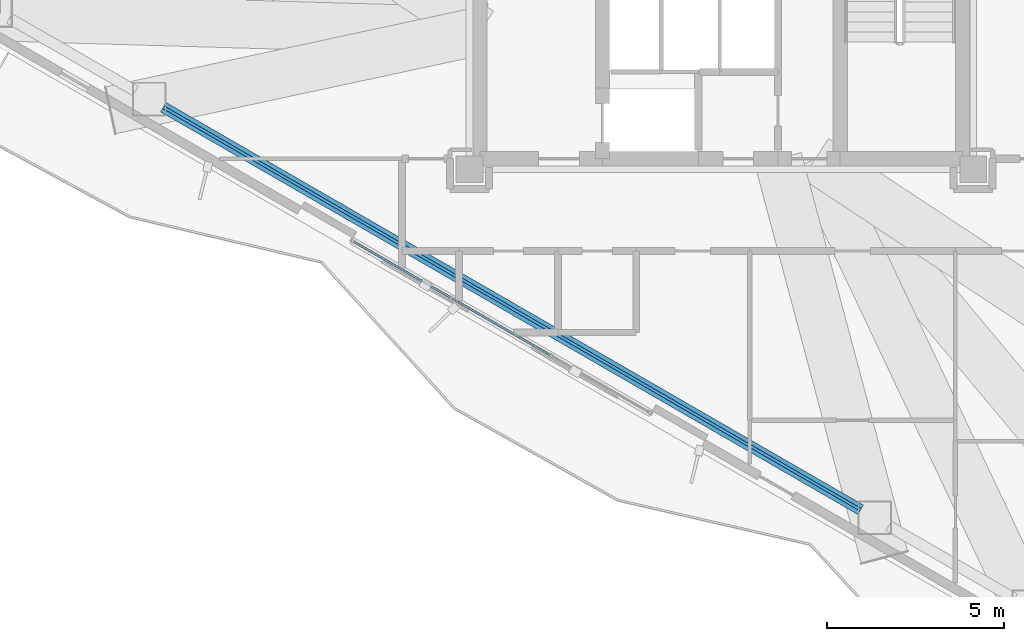
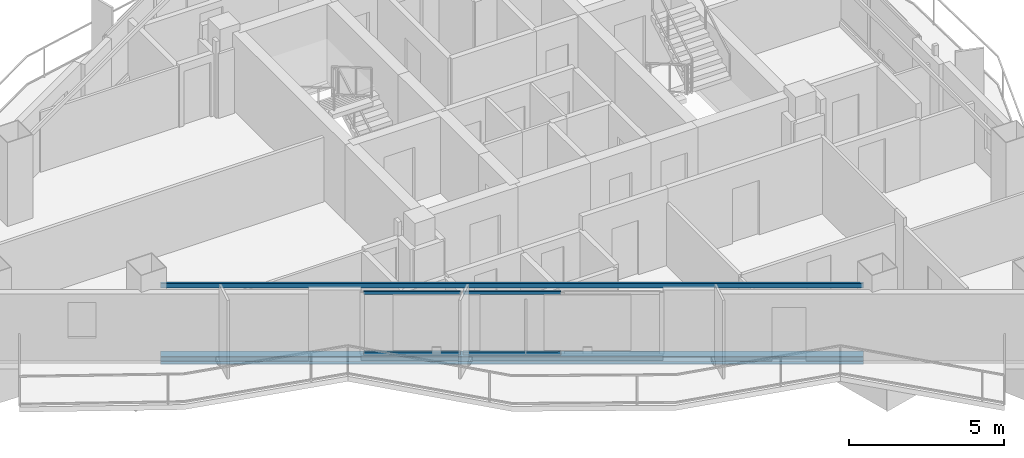
# One storey, part 3 of 22: 4 members, 2 beams, 1 element without a shape of its own.
"""IFC4 building model written with IfcOpenShell, lengths in metres."""

from ifc_helpers import new_model, si_unit, direction, frame, origin, origin_2d, place, context, subcontext, project, spatial, hollow_rectangle, i_section, extrude, material, layer, layer_set, material_profile, profile_set, type_object, element, aggregate, save


model = new_model("IFC4")

# Units and contexts
model_context = context("Model", 3, precision=1e-05, world=origin(), true_north=direction((0.0, 1.0)))
body_context = subcontext(model_context, "Body", "Model", "MODEL_VIEW")
ifc_project = project(units=[si_unit("LENGTHUNIT", "METRE"), si_unit("AREAUNIT", "SQUARE_METRE"), si_unit("VOLUMEUNIT", "CUBIC_METRE"), si_unit("PLANEANGLEUNIT", "RADIAN"), si_unit("MASSUNIT", "GRAM", prefix="KILO")], contexts=[model_context])

# Site, building, storey
site_placement = place(None, origin())
site = spatial("IfcSite", under=ifc_project, at=site_placement, CompositionType="ELEMENT")
building_placement = place(site_placement, origin())
building = spatial("IfcBuilding", under=site, at=building_placement, Name="Mersakhor Tower and Convention Hall", CompositionType="ELEMENT")
storey_placement = place(building_placement, frame((0.0, 0.0, 167.39990234375)))
storey = spatial("IfcBuildingStorey", under=building, at=storey_placement, Name="L46", CompositionType="ELEMENT", Elevation=167.39990234375)

# Beams
ifc_material_1 = material(Name="Steel S355", Category="steel")
ifc_material_profile_1 = material_profile(ifc_material_1, hollow_rectangle(XDim=0.080078125, YDim=0.179931640625, WallThickness=0.008056640625, at=origin_2d()), Name="RHS 180x80x8")
ifc_profile_set_1 = profile_set([ifc_material_profile_1], Name="Steel S355")
beam_type_1 = type_object("IfcBeamType", Name="BM-GRT-RHS180", PredefinedType="USERDEFINED", material=ifc_profile_set_1)
beam_1_placement = place(storey_placement, frame((32.92822265625, 10.852294921875, 2.47998046875), z_axis=(-0.86602942013, 0.499993043422, 0.0), x_axis=(-0.499993043422, -0.86602942013, 0.0)))
element("IfcBeam", 1, at=beam_1_placement, inside=storey, type_object=beam_type_1, Name="L46 Facade Support Girt GRT-F3", ObjectType="GIRT", PredefinedType="USERDEFINED", context=body_context, shape_type="SweptSolid", body=[
    extrude(hollow_rectangle(XDim=0.080078125, YDim=0.179931640625, WallThickness=0.008056640625, at=origin_2d()), origin(), (0.0, 0.0, 1.0), 22.701416015625),
])
ifc_material_2 = material(Name="Steel S355", Category="steel")
ifc_material_profile_2 = material_profile(ifc_material_2, i_section(OverallWidth=0.30908203125, OverallDepth=0.320556640625, WebThickness=0.013916015625, FlangeThickness=0.021728515625, at=origin_2d()), Name="UC 305x305x137")
ifc_profile_set_2 = profile_set([ifc_material_profile_2], Name="Steel S355")
beam_type_2 = type_object("IfcBeamType", Name="BM-SPD-UC305", PredefinedType="SPANDREL", material=ifc_profile_set_2)
beam_2_placement = place(storey_placement, frame((32.92822265625, 10.852294921875, -0.39013671875), z_axis=(-0.86602942013, 0.499993043422, 0.0), x_axis=(-0.499993043422, -0.86602942013, 0.0)))
element("IfcBeam", 2, at=beam_2_placement, inside=storey, type_object=beam_type_2, Name="L46 Perimeter Spandrel Beam SPB-10", PredefinedType="SPANDREL", context=body_context, shape_type="SweptSolid", body=[
    extrude(i_section(OverallWidth=0.30908203125, OverallDepth=0.320556640625, WebThickness=0.013916015625, FlangeThickness=0.021728515625, at=origin_2d()), origin(), (0.0, 0.0, 1.0), 22.701416015625),
])

# Curtain wall, members
ifc_material_3 = material(Name="Dark solar low-E aluminium curtain wall", Category="aluminium")
ifc_layer = layer(ifc_material_3, 0.169921875)
ifc_layer_set = layer_set([ifc_layer], Name="Dark solar low-E aluminium curtain wall")
curtain_wall_type = type_object("IfcCurtainWallType", Name="CW-SYS-02", PredefinedType="USERDEFINED", material=ifc_layer_set)
curtain_wall_placement = place(storey_placement, origin())
curtain_wall = element("IfcCurtainWall", 3, at=curtain_wall_placement, inside=storey, type_object=curtain_wall_type, Name="L46 Dark-Glass Curtain Wall F3-B2", ObjectType="CURTAIN WALL", PredefinedType="USERDEFINED")
ifc_material_4 = material(Name="Anodised aluminium EN AW-6063 T6", Category="aluminium")
ifc_material_profile_3 = material_profile(ifc_material_4, hollow_rectangle(XDim=0.06005859375, YDim=0.1201171875, WallThickness=0.0048828125, at=origin_2d()), Name="RHS 120x60x5")
ifc_profile_set_3 = profile_set([ifc_material_profile_3], Name="Anodised aluminium EN AW-6063 T6")
member_type = type_object("IfcMemberType", Name="CWT-120x60", PredefinedType="USERDEFINED", material=ifc_profile_set_3)
member_1_placement = place(storey_placement, frame((24.171875, 15.21484375, 0.22998046875), z_axis=(-0.866042062017, 0.499971145986, 0.0), x_axis=(-0.499971145986, -0.866042062017, 0.0)))
member_1 = element("IfcMember", 4, at=member_1_placement, type_object=member_type, Name="CW-02 transom 2.1", ObjectType="TRANSOM", PredefinedType="USERDEFINED", context=body_context, shape_type="SweptSolid", body=[
    extrude(hollow_rectangle(XDim=0.06005859375, YDim=0.1201171875, WallThickness=0.0048828125, at=origin_2d()), origin(), (0.0, 0.0, 1.0), 3.172607421875),
])
member_2_placement = place(storey_placement, frame((24.171875, 15.21484375, 2.610107421875), z_axis=(-0.866042062017, 0.499971145986, 0.0), x_axis=(-0.499971145986, -0.866042062017, 0.0)))
member_2 = element("IfcMember", 5, at=member_2_placement, type_object=member_type, Name="CW-02 transom 2.2", ObjectType="TRANSOM", PredefinedType="USERDEFINED", context=body_context, shape_type="SweptSolid", body=[
    extrude(hollow_rectangle(XDim=0.06005859375, YDim=0.1201171875, WallThickness=0.0048828125, at=origin_2d()), origin(), (0.0, 0.0, 1.0), 3.172607421875),
])
member_3_placement = place(storey_placement, frame((21.359375, 16.838623046875, 0.22998046875), z_axis=(-0.866029956157, 0.499992114976, 0.0), x_axis=(-0.499992114976, -0.866029956157, 0.0)))
member_3 = element("IfcMember", 6, at=member_3_placement, type_object=member_type, Name="CW-02 transom 3.1", ObjectType="TRANSOM", PredefinedType="USERDEFINED", context=body_context, shape_type="SweptSolid", body=[
    extrude(hollow_rectangle(XDim=0.06005859375, YDim=0.1201171875, WallThickness=0.0048828125, at=origin_2d()), origin(), (0.0, 0.0, 1.0), 3.134765625),
])
member_4_placement = place(storey_placement, frame((21.359375, 16.838623046875, 2.610107421875), z_axis=(-0.866029956157, 0.499992114976, 0.0), x_axis=(-0.499992114976, -0.866029956157, 0.0)))
member_4 = element("IfcMember", 7, at=member_4_placement, type_object=member_type, Name="CW-02 transom 3.2", ObjectType="TRANSOM", PredefinedType="USERDEFINED", context=body_context, shape_type="SweptSolid", body=[
    extrude(hollow_rectangle(XDim=0.06005859375, YDim=0.1201171875, WallThickness=0.0048828125, at=origin_2d()), origin(), (0.0, 0.0, 1.0), 3.134765625),
])
aggregate(curtain_wall, [member_1, member_2, member_3, member_4])

save(model, "model.ifc")
